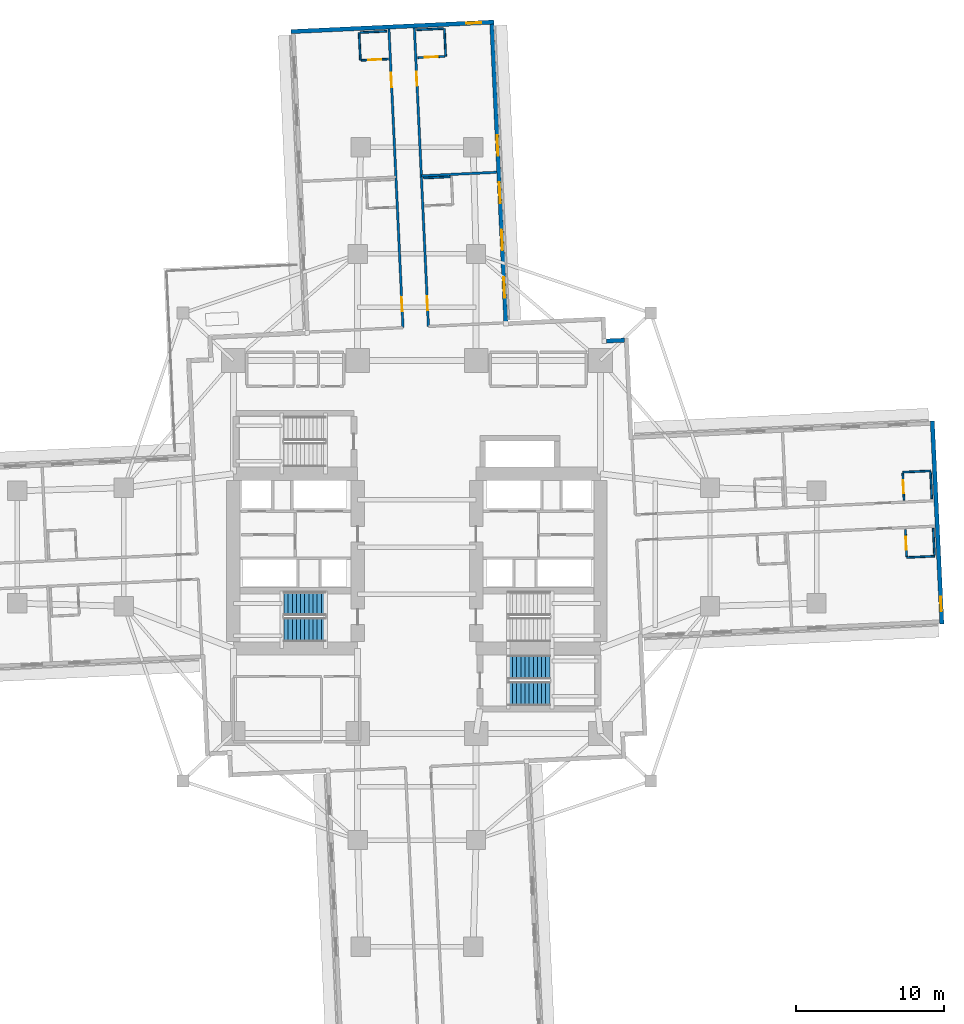
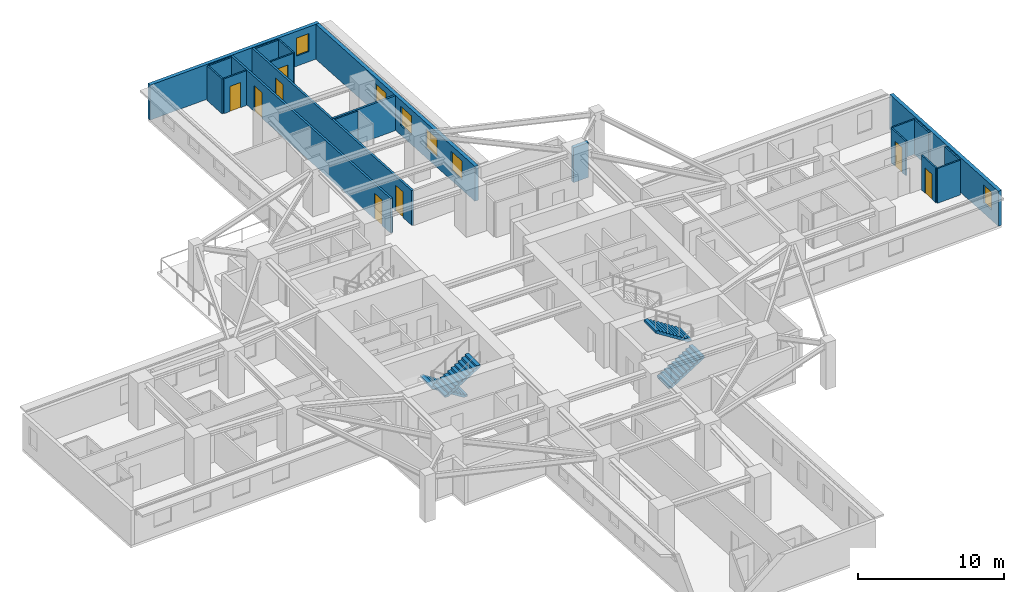
# One storey, part 8 of 14: 20 walls, 8 doors, 6 windows, 4 stair flights, 14 openings, 2 elements without a shape of their own.
"""IFC4 building model written with IfcOpenShell, lengths in metres."""

import ifcopenshell
import ifcopenshell.guid

model = None  # the IFC model being written
_history = None  # IfcOwnerHistory: only IFC2X3 demands one
_inside = {}  # id of a spatial element -> (the spatial element, [elements in it])
_under = {}  # id of a project, library or spatial element -> (it, [spatial elements below it])
_declared = {}  # id of a project -> (the project, [libraries it declares])
_typed = {}  # id of a type object -> (the type object, [elements of that type])
_made_of = {}  # id of a material, layer set ... -> (it, [elements and type objects made of it])


def new_model(schema):
    """Start an empty IFC model of exactly this schema.

    Asked for "IFC4X3", IfcOpenShell would pick the latest addendum, in which some entities
    have other attributes; the version numbers below select the first issue.
    IFC2X3 requires an IfcOwnerHistory on every rooted entity: one is made here for all.
    """
    global model, _history
    if schema == "IFC4X3":
        model = ifcopenshell.file(schema_version=(4, 3, 0, 0))
    else:
        model = ifcopenshell.file(schema=schema)
    _inside.clear()
    _under.clear()
    _declared.clear()
    _typed.clear()
    _made_of.clear()
    _history = None
    if model.schema == "IFC2X3":
        org = make("IfcOrganization", Name="unknown")
        user = make(
            "IfcPersonAndOrganization",
            ThePerson=make("IfcPerson", FamilyName="unknown"),
            TheOrganization=org,
        )
        app = make(
            "IfcApplication",
            ApplicationDeveloper=org,
            Version="unknown",
            ApplicationFullName="unknown",
            ApplicationIdentifier="unknown",
        )
        _history = make(
            "IfcOwnerHistory",
            OwningUser=user,
            OwningApplication=app,
            ChangeAction="ADDED",
            CreationDate=0,
        )
    return model


def make(cls, **values):
    """One entity of the class cls with the attributes given. An attribute that is None is left unset."""
    return model.create_entity(
        cls, **{name: value for name, value in values.items() if value is not None}
    )


def rooted(cls, **values):
    """An entity with a GlobalId (a new one), such as an element, a storey or a relation."""
    return make(cls, GlobalId=ifcopenshell.guid.new(), OwnerHistory=_history, **values)


def si_unit(unit_type, name, prefix=None):
    """IfcSIUnit, for example si_unit("LENGTHUNIT", "METRE", prefix="MILLI")."""
    return make("IfcSIUnit", UnitType=unit_type, Prefix=prefix, Name=name)


def assignment(units):
    """IfcUnitAssignment: the units of a project."""
    return None if units is None else make("IfcUnitAssignment", Units=units)


def point(xyz):
    """IfcCartesianPoint."""
    return None if xyz is None else make("IfcCartesianPoint", Coordinates=xyz)


def direction(xyz):
    """IfcDirection."""
    return None if xyz is None else make("IfcDirection", DirectionRatios=xyz)


def frame(location, z_axis=None, x_axis=None):
    """IfcAxis2Placement3D, a coordinate frame: its origin and axes. An axis left out is left unset."""
    return make(
        "IfcAxis2Placement3D",
        Location=point(location),
        Axis=direction(z_axis),
        RefDirection=direction(x_axis),
    )


def frame_2d(location, x_axis=None):
    """IfcAxis2Placement2D, a coordinate frame in the plane: its origin and x axis."""
    return make(
        "IfcAxis2Placement2D", Location=point(location), RefDirection=direction(x_axis)
    )


def origin():
    """The frame at (0, 0, 0) with its axes left unset."""
    return frame((0.0, 0.0, 0.0))


def place(relative_to, where):
    """IfcLocalPlacement: puts the frame where relative to a parent placement (None: the world)."""
    return make(
        "IfcLocalPlacement", PlacementRelTo=relative_to, RelativePlacement=where
    )


def context(
    kind, dimensions, precision=None, world=None, true_north=None, identifier=None
):
    """IfcGeometricRepresentationContext, for example the 3D "Model" context."""
    return make(
        "IfcGeometricRepresentationContext",
        ContextIdentifier=identifier,
        ContextType=kind,
        CoordinateSpaceDimension=dimensions,
        Precision=precision,
        WorldCoordinateSystem=world,
        TrueNorth=true_north,
    )


def subcontext(parent, identifier, kind, view, scale=None):
    """IfcGeometricRepresentationSubContext, for example "Body" below "Model"."""
    return make(
        "IfcGeometricRepresentationSubContext",
        ContextIdentifier=identifier,
        ContextType=kind,
        ParentContext=parent,
        TargetScale=scale,
        TargetView=view,
    )


def project(units=None, contexts=None):
    """IfcProject with its units and contexts."""
    return rooted(
        "IfcProject",
        Name="project",
        RepresentationContexts=contexts,
        UnitsInContext=assignment(units),
    )


def spatial(cls, under=None, at=None, **own):
    """A site, building, storey or space (cls), placed at a placement, below another one or the project."""
    s = rooted(cls, ObjectPlacement=at, **own)
    if under is not None:
        _under.setdefault(under.id(), (under, []))[1].append(s)
    return s


def polyline(points):
    """IfcPolyline through the points."""
    return make("IfcPolyline", Points=[point(p) for p in points])


def profile(cls, at=None, kind="AREA", **sizes):
    """A parametric profile (cls). Its sizes go by their IFC names, for example OverallWidth=200.0."""
    return make(cls, ProfileType=kind, Position=at, **sizes)


def rectangle(**sizes):
    """IfcRectangleProfileDef."""
    return profile("IfcRectangleProfileDef", **sizes)


def outline(outer, holes=None, kind="AREA"):
    """IfcArbitraryClosedProfileDef: a profile drawn as a closed curve; with holes, ...WithVoids."""
    if holes is None:
        return make("IfcArbitraryClosedProfileDef", ProfileType=kind, OuterCurve=outer)
    return make(
        "IfcArbitraryProfileDefWithVoids",
        ProfileType=kind,
        OuterCurve=outer,
        InnerCurves=holes,
    )


def extrude(swept, where, along, depth):
    """IfcExtrudedAreaSolid: the profile swept, set in the frame where, extruded along a direction by depth."""
    return make(
        "IfcExtrudedAreaSolid",
        SweptArea=swept,
        Position=where,
        ExtrudedDirection=direction(along),
        Depth=depth,
    )


def shape(context_of_items, identifier, shape_type, items):
    """IfcShapeRepresentation: the items that make up one representation, for example the "Body"."""
    return make(
        "IfcShapeRepresentation",
        ContextOfItems=context_of_items,
        RepresentationIdentifier=identifier,
        RepresentationType=shape_type,
        Items=items,
    )


def material(Name=None, Category=None):
    """IfcMaterial."""
    return make("IfcMaterial", Name=Name, Category=Category)


def layer(
    of_material, thickness, ventilated=None, Name=None, Category=None, Priority=None
):
    """IfcMaterialLayer: one layer of a wall or slab, of a material (None: an air gap)."""
    return make(
        "IfcMaterialLayer",
        Material=of_material,
        LayerThickness=thickness,
        IsVentilated=ventilated,
        Name=Name,
        Category=Category,
        Priority=Priority,
    )


def layer_set(layers, Name=None):
    """IfcMaterialLayerSet."""
    return make("IfcMaterialLayerSet", MaterialLayers=layers, LayerSetName=Name)


def made_of(thing, what):
    """Note that an element or type object is made of a material, layer set ...; save() writes the relation."""
    if what is not None:
        _made_of.setdefault(what.id(), (what, []))[1].append(thing)
    return thing


def type_object(cls, material=None, **own):
    """A type object (cls), such as IfcWallType, which elements share."""
    return made_of(rooted(cls, **own), material)


def element(
    cls,
    number,
    at=None,
    inside=None,
    cuts=None,
    type_object=None,
    material=None,
    context=None,
    identifier="Body",
    shape_type=None,
    held_by="IfcProductDefinitionShape",
    body=None,
    shapes=None,
    **own,
):
    """One element of the class cls, such as IfcWall. Its Tag is "e" and its number.

    at: its placement. inside: the storey or other place that contains it. cuts: it is an
    opening in that element (IfcRelVoidsElement). A single representation is given by context,
    identifier, shape_type and body (its items); several are given by shapes. held_by: the class
    of the entity that holds the representations. save() writes the other relations.
    """
    e = rooted(cls, Tag="e%d" % number, ObjectPlacement=at, **own)
    if body is not None:
        shapes = [shape(context, identifier, shape_type, body)]
    if shapes is not None:
        e.Representation = make(held_by, Representations=shapes)
    if inside is not None:
        _inside.setdefault(inside.id(), (inside, []))[1].append(e)
    if cuts is not None:
        rooted(
            "IfcRelVoidsElement", RelatingBuildingElement=cuts, RelatedOpeningElement=e
        )
    if type_object is not None:
        _typed.setdefault(type_object.id(), (type_object, []))[1].append(e)
    return made_of(e, material)


def fill(opening, filler):
    """IfcRelFillsElement: the door or window that sits in an opening."""
    return rooted(
        "IfcRelFillsElement",
        RelatingOpeningElement=opening,
        RelatedBuildingElement=filler,
    )


def aggregate(whole, parts):
    """IfcRelAggregates: a whole, such as a stair, and the parts it consists of."""
    return rooted("IfcRelAggregates", RelatingObject=whole, RelatedObjects=parts)


def save(model, path):
    """Write the relations noted so far, then the file.

    IfcRelAggregates (storeys below a building ...), IfcRelContainedInSpatialStructure (elements
    in a storey), IfcRelDefinesByType, IfcRelAssociatesMaterial and IfcRelDeclares: one each for
    every whole, place, type object, material and project.
    """
    for whole, parts in _under.values():
        aggregate(whole, parts)
    for where, things in _inside.values():
        rooted(
            "IfcRelContainedInSpatialStructure",
            RelatedElements=things,
            RelatingStructure=where,
        )
    for kind, things in _typed.values():
        rooted("IfcRelDefinesByType", RelatedObjects=things, RelatingType=kind)
    for what, things in _made_of.values():
        rooted("IfcRelAssociatesMaterial", RelatedObjects=things, RelatingMaterial=what)
    for by, libraries in _declared.values():
        rooted("IfcRelDeclares", RelatingContext=by, RelatedDefinitions=libraries)
    model.write(path)


model = new_model("IFC4")

# Units and contexts
model_context = context("Model", 3, precision=1e-05, world=origin(), true_north=direction((0.0, 1.0)))
body_context = subcontext(model_context, "Body", "Model", "MODEL_VIEW")
ifc_project = project(units=[si_unit("LENGTHUNIT", "METRE"), si_unit("AREAUNIT", "SQUARE_METRE"), si_unit("VOLUMEUNIT", "CUBIC_METRE"), si_unit("PLANEANGLEUNIT", "RADIAN"), si_unit("MASSUNIT", "GRAM", prefix="KILO")], contexts=[model_context])

# Site, building, storey
site_placement = place(None, origin())
site = spatial("IfcSite", under=ifc_project, at=site_placement, CompositionType="ELEMENT")
building_placement = place(site_placement, origin())
building = spatial("IfcBuilding", under=site, at=building_placement, Name="Qingluan Cross Belvedere", CompositionType="ELEMENT")
storey_placement = place(building_placement, frame((0.0, 0.0, 35.39990234375)))
storey = spatial("IfcBuildingStorey", under=building, at=storey_placement, Name="L09", CompositionType="ELEMENT", Elevation=35.39990234375)

# Wall, openings, doors
ifc_material_1 = material(Name="Gypsum plasterboard on steel stud acoustic partition", Category="steel")
ifc_layer_1 = layer(ifc_material_1, 0.159912109375, Name="CorridorPartition_160")
ifc_layer_set_1 = layer_set([ifc_layer_1], Name="Gypsum plasterboard on steel stud acoustic partition")
wall_type_1 = type_object("IfcWallType", Name="CorridorPartition_160", PredefinedType="PARTITIONING", material=ifc_layer_set_1)
wall_1_placement = place(storey_placement, frame((0.77880859375, 14.9033203125, 0.0), z_axis=(0.0, 0.0, 1.0), x_axis=(-0.047105921672, 0.998889899911, 0.0)))
wall_1 = element("IfcWall", 1, at=wall_1_placement, inside=storey, type_object=wall_type_1, Name="Partition L09:N:c0", PredefinedType="PARTITIONING", context=body_context, shape_type="SweptSolid", body=[
    extrude(rectangle(XDim=20.181884765625, YDim=0.159912109375, at=frame_2d((10.0908203125, 0.0))), origin(), (0.0, 0.0, 1.0), 2.900146484375),
])
opening_1_placement = place(wall_1_placement, frame((1.093994140625, 0.0, 0.0)))
opening_1 = element("IfcOpeningElement", 2, at=opening_1_placement, cuts=wall_1, Name="Opening GD-10", PredefinedType="OPENING", context=body_context, shape_type="SweptSolid", body=[
    extrude(rectangle(XDim=0.9599609375, YDim=2.14990234375, at=frame_2d((0.47998046875, 1.074951171875))), frame((0.0, 0.08984375, 0.0), z_axis=(0.0, -1.0, 0.0), x_axis=(1.0, 0.0, 0.0)), (0.0, 0.0, 1.0), 0.179931640625),
])
opening_2_placement = place(wall_1_placement, frame((16.26806640625, 0.0, 0.0)))
opening_2 = element("IfcOpeningElement", 3, at=opening_2_placement, cuts=wall_1, Name="Opening GD-10", PredefinedType="OPENING", context=body_context, shape_type="SweptSolid", body=[
    extrude(rectangle(XDim=0.9599609375, YDim=2.14990234375, at=frame_2d((0.47998046875, 1.074951171875))), frame((0.0, 0.08984375, 0.0), z_axis=(0.0, -1.0, 0.0), x_axis=(1.0, 0.0, 0.0)), (0.0, 0.0, 1.0), 0.179931640625),
])
ifc_material_2 = material(Name="Timber oak fire-rated acoustic guestroom door", Category="wood")
door_type_1 = type_object("IfcDoorType", Name="GuestEntryDoor_FD60", OperationType="NOTDEFINED", PredefinedType="DOOR", material=ifc_material_2)
door_1_placement = place(opening_1_placement, origin())
door_1 = element("IfcDoor", 4, at=door_1_placement, inside=storey, type_object=door_type_1, Name="Guest entry fire door 0909", OperationType="SINGLE_SWING_LEFT", OverallHeight=2.14990234375, OverallWidth=0.9599609375, PredefinedType="DOOR", context=body_context, shape_type="SweptSolid", body=[
    extrude(rectangle(XDim=0.9599609375, YDim=2.14990234375, at=frame_2d((0.47998046875, 1.074951171875))), frame((0.0, 0.02490234375, 0.0), z_axis=(0.0, -1.0, 0.0), x_axis=(1.0, 0.0, 0.0)), (0.0, 0.0, 1.0), 0.050048828125),
])
fill(opening_1, door_1)
door_2_placement = place(opening_2_placement, origin())
door_2 = element("IfcDoor", 5, at=door_2_placement, inside=storey, type_object=door_type_1, Name="Guest entry fire door 0910", OperationType="SINGLE_SWING_LEFT", OverallHeight=2.14990234375, OverallWidth=0.9599609375, PredefinedType="DOOR", context=body_context, shape_type="SweptSolid", body=[
    extrude(rectangle(XDim=0.9599609375, YDim=2.14990234375, at=frame_2d((0.47998046875, 1.074951171875))), frame((0.0, 0.02490234375, 0.0), z_axis=(0.0, -1.0, 0.0), x_axis=(1.0, 0.0, 0.0)), (0.0, 0.0, 1.0), 0.050048828125),
])
fill(opening_2, door_2)

# Wall
wall_2_placement = place(storey_placement, frame((0.299072265625, 25.076904296875, 0.0), z_axis=(0.0, 0.0, 1.0), x_axis=(0.998888761336, 0.047130059153, 0.0)))
element("IfcWall", 6, at=wall_2_placement, inside=storey, type_object=wall_type_1, Name="Partition L09:N:d0_0", PredefinedType="PARTITIONING", context=body_context, shape_type="SweptSolid", body=[
    extrude(rectangle(XDim=5.092041015625, YDim=0.159912109375, at=frame_2d((2.5458984375, 0.0))), origin(), (0.0, 0.0, 1.0), 2.900146484375),
])

# Wall, openings, doors
wall_3_placement = place(storey_placement, frame((-0.939208984375, 14.822265625, 0.0), z_axis=(0.0, 0.0, 1.0), x_axis=(-0.047105921672, 0.998889899911, 0.0)))
wall_3 = element("IfcWall", 7, at=wall_3_placement, inside=storey, type_object=wall_type_1, Name="Partition L09:N:c1", PredefinedType="PARTITIONING", context=body_context, shape_type="SweptSolid", body=[
    extrude(rectangle(XDim=20.181884765625, YDim=0.159912109375, at=frame_2d((10.0908203125, 0.0))), origin(), (0.0, 0.0, 1.0), 2.900146484375),
])
opening_3_placement = place(wall_3_placement, frame((1.093994140625, 0.0, 0.0)))
opening_3 = element("IfcOpeningElement", 8, at=opening_3_placement, cuts=wall_3, Name="Opening GD-10", PredefinedType="OPENING", context=body_context, shape_type="SweptSolid", body=[
    extrude(rectangle(XDim=0.9599609375, YDim=2.14990234375, at=frame_2d((0.47998046875, 1.074951171875))), frame((0.0, 0.08984375, 0.0), z_axis=(0.0, -1.0, 0.0), x_axis=(1.0, 0.0, 0.0)), (0.0, 0.0, 1.0), 0.179931640625),
])
opening_4_placement = place(wall_3_placement, frame((16.26806640625, 0.0, 0.0)))
opening_4 = element("IfcOpeningElement", 9, at=opening_4_placement, cuts=wall_3, Name="Opening GD-10", PredefinedType="OPENING", context=body_context, shape_type="SweptSolid", body=[
    extrude(rectangle(XDim=0.9599609375, YDim=2.14990234375, at=frame_2d((0.47998046875, 1.074951171875))), frame((0.0, 0.08984375, 0.0), z_axis=(0.0, -1.0, 0.0), x_axis=(1.0, 0.0, 0.0)), (0.0, 0.0, 1.0), 0.179931640625),
])
door_3_placement = place(opening_3_placement, origin())
door_3 = element("IfcDoor", 10, at=door_3_placement, inside=storey, type_object=door_type_1, Name="Guest entry fire door 0911", OperationType="SINGLE_SWING_LEFT", OverallHeight=2.14990234375, OverallWidth=0.9599609375, PredefinedType="DOOR", context=body_context, shape_type="SweptSolid", body=[
    extrude(rectangle(XDim=0.9599609375, YDim=2.14990234375, at=frame_2d((0.47998046875, 1.074951171875))), frame((0.0, 0.02490234375, 0.0), z_axis=(0.0, -1.0, 0.0), x_axis=(1.0, 0.0, 0.0)), (0.0, 0.0, 1.0), 0.050048828125),
])
fill(opening_3, door_3)
door_4_placement = place(opening_4_placement, origin())
door_4 = element("IfcDoor", 11, at=door_4_placement, inside=storey, type_object=door_type_1, Name="Guest entry fire door 0912", OperationType="SINGLE_SWING_LEFT", OverallHeight=2.14990234375, OverallWidth=0.9599609375, PredefinedType="DOOR", context=body_context, shape_type="SweptSolid", body=[
    extrude(rectangle(XDim=0.9599609375, YDim=2.14990234375, at=frame_2d((0.47998046875, 1.074951171875))), frame((0.0, 0.02490234375, 0.0), z_axis=(0.0, -1.0, 0.0), x_axis=(1.0, 0.0, 0.0)), (0.0, 0.0, 1.0), 0.050048828125),
])
fill(opening_4, door_4)

# Wall, opening, door
ifc_material_3 = material(Name="Moisture-resistant gypsum board lining")
ifc_layer_2 = layer(ifc_material_3, 0.1201171875, Name="EnsuiteWetPartition_120")
ifc_layer_set_2 = layer_set([ifc_layer_2], Name="Moisture-resistant gypsum board lining")
wall_type_2 = type_object("IfcWallType", Name="EnsuiteWetPartition_120", PredefinedType="PARTITIONING", material=ifc_layer_set_2)
wall_4_placement = place(storey_placement, frame((32.906982421875, 3.173583984375, 0.0), z_axis=(0.0, 0.0, 1.0), x_axis=(-0.047080807099, 0.998891083954, 0.0)))
wall_4 = element("IfcWall", 12, at=wall_4_placement, inside=storey, type_object=wall_type_2, Name="Partition L09:E:bs0_1", PredefinedType="PARTITIONING", context=body_context, shape_type="SweptSolid", body=[
    extrude(rectangle(XDim=1.820068359375, YDim=0.1201171875, at=frame_2d((0.91015625, 0.0))), origin(), (0.0, 0.0, 1.0), 2.900146484375),
])
opening_5_placement = place(wall_4_placement, frame((0.469970703125, 0.0, 0.0)))
opening_5 = element("IfcOpeningElement", 13, at=opening_5_placement, cuts=wall_4, Name="Opening BD-09", PredefinedType="OPENING", context=body_context, shape_type="SweptSolid", body=[
    extrude(rectangle(XDim=0.8798828125, YDim=2.10009765625, at=frame_2d((0.43994140625, 1.050048828125))), frame((0.0, 0.070068359375, 0.0), z_axis=(0.0, -1.0, 0.0), x_axis=(1.0, 0.0, 0.0)), (0.0, 0.0, 1.0), 0.14013671875),
])
ifc_material_4 = material(Name="Moisture-sealed timber en-suite door", Category="wood")
door_type_2 = type_object("IfcDoorType", Name="BathroomDoor_880", OperationType="NOTDEFINED", PredefinedType="DOOR", material=ifc_material_4)
door_5_placement = place(opening_5_placement, origin())
door_5 = element("IfcDoor", 14, at=door_5_placement, inside=storey, type_object=door_type_2, Name="Bathroom door 0902", OperationType="SINGLE_SWING_RIGHT", OverallHeight=2.10009765625, OverallWidth=0.8798828125, PredefinedType="DOOR", context=body_context, shape_type="SweptSolid", body=[
    extrude(rectangle(XDim=0.8798828125, YDim=2.10009765625, at=frame_2d((0.43994140625, 1.050048828125))), frame((0.0, 0.02490234375, 0.0), z_axis=(0.0, -1.0, 0.0), x_axis=(1.0, 0.0, 0.0)), (0.0, 0.0, 1.0), 0.050048828125),
])
fill(opening_5, door_5)

# Walls
wall_5_placement = place(storey_placement, frame((34.784912109375, 3.26220703125, 0.0), z_axis=(0.0, 0.0, 1.0), x_axis=(-0.047087116047, 0.998890786574, 0.0)))
element("IfcWall", 15, at=wall_5_placement, inside=storey, type_object=wall_type_2, Name="Partition L09:E:bw0_1", PredefinedType="PARTITIONING", context=body_context, shape_type="SweptSolid", body=[
    extrude(rectangle(XDim=1.81982421875, YDim=0.1201171875, at=frame_2d((0.909912109375, 0.0))), origin(), (0.0, 0.0, 1.0), 2.900146484375),
])
wall_6_placement = place(storey_placement, frame((32.818115234375, 5.056640625, 0.0), z_axis=(0.0, 0.0, 1.0), x_axis=(0.998894425757, 0.04700985207, 0.0)))
element("IfcWall", 16, at=wall_6_placement, inside=storey, type_object=wall_type_2, Name="Partition L09:E:bn0_1", PredefinedType="PARTITIONING", context=body_context, shape_type="SweptSolid", body=[
    extrude(rectangle(XDim=1.880126953125, YDim=0.1201171875, at=frame_2d((0.93994140625, 0.0))), origin(), (0.0, 0.0, 1.0), 2.900146484375),
])

# Wall, opening, door
wall_7_placement = place(storey_placement, frame((33.0869140625, -0.64208984375, 0.0), z_axis=(0.0, 0.0, 1.0), x_axis=(-0.047087116047, 0.998890786574, 0.0)))
wall_7 = element("IfcWall", 17, at=wall_7_placement, inside=storey, type_object=wall_type_2, Name="Partition L09:E:bs1_1", PredefinedType="PARTITIONING", context=body_context, shape_type="SweptSolid", body=[
    extrude(rectangle(XDim=1.81982421875, YDim=0.1201171875, at=frame_2d((0.909912109375, 0.0))), origin(), (0.0, 0.0, 1.0), 2.900146484375),
])
opening_6_placement = place(wall_7_placement, frame((0.469970703125, 0.0, 0.0)))
opening_6 = element("IfcOpeningElement", 18, at=opening_6_placement, cuts=wall_7, Name="Opening BD-09", PredefinedType="OPENING", context=body_context, shape_type="SweptSolid", body=[
    extrude(rectangle(XDim=0.8798828125, YDim=2.10009765625, at=frame_2d((0.43994140625, 1.050048828125))), frame((0.0, 0.070068359375, 0.0), z_axis=(0.0, -1.0, 0.0), x_axis=(1.0, 0.0, 0.0)), (0.0, 0.0, 1.0), 0.14013671875),
])
door_6_placement = place(opening_6_placement, origin())
door_6 = element("IfcDoor", 19, at=door_6_placement, inside=storey, type_object=door_type_2, Name="Bathroom door 0904", OperationType="SINGLE_SWING_RIGHT", OverallHeight=2.10009765625, OverallWidth=0.8798828125, PredefinedType="DOOR", context=body_context, shape_type="SweptSolid", body=[
    extrude(rectangle(XDim=0.8798828125, YDim=2.10009765625, at=frame_2d((0.43994140625, 1.050048828125))), frame((0.0, 0.02490234375, 0.0), z_axis=(0.0, -1.0, 0.0), x_axis=(1.0, 0.0, 0.0)), (0.0, 0.0, 1.0), 0.050048828125),
])
fill(opening_6, door_6)

# Walls
wall_8_placement = place(storey_placement, frame((34.96484375, -0.553466796875, 0.0), z_axis=(0.0, 0.0, 1.0), x_axis=(-0.047087116047, 0.998890786574, 0.0)))
element("IfcWall", 20, at=wall_8_placement, inside=storey, type_object=wall_type_2, Name="Partition L09:E:bw1_1", PredefinedType="PARTITIONING", context=body_context, shape_type="SweptSolid", body=[
    extrude(rectangle(XDim=1.81982421875, YDim=0.1201171875, at=frame_2d((0.909912109375, 0.0))), origin(), (0.0, 0.0, 1.0), 2.900146484375),
])
wall_9_placement = place(storey_placement, frame((33.090087890625, -0.70703125, 0.0), z_axis=(0.0, 0.0, 1.0), x_axis=(0.998888319371, 0.047139425368, 0.0)))
element("IfcWall", 21, at=wall_9_placement, inside=storey, type_object=wall_type_2, Name="Partition L09:E:bc1_1", PredefinedType="PARTITIONING", context=body_context, shape_type="SweptSolid", body=[
    extrude(rectangle(XDim=1.880126953125, YDim=0.1201171875, at=frame_2d((0.93994140625, 0.0))), origin(), (0.0, 0.0, 1.0), 2.900146484375),
])
wall_10_placement = place(storey_placement, frame((0.4462890625, 24.923583984375, 0.0), z_axis=(0.0, 0.0, 1.0), x_axis=(0.998884766924, 0.047214641863, 0.0)))
element("IfcWall", 22, at=wall_10_placement, inside=storey, type_object=wall_type_2, Name="Partition L09:N:bw0_0", PredefinedType="PARTITIONING", context=body_context, shape_type="SweptSolid", body=[
    extrude(rectangle(XDim=1.820068359375, YDim=0.1201171875, at=frame_2d((0.91015625, 0.0))), origin(), (0.0, 0.0, 1.0), 2.900146484375),
])

# Wall, opening, door
wall_11_placement = place(storey_placement, frame((0.062744140625, 33.059814453125, 0.0), z_axis=(0.0, 0.0, 1.0), x_axis=(0.998890786574, 0.047087116047, 0.0)))
wall_11 = element("IfcWall", 23, at=wall_11_placement, inside=storey, type_object=wall_type_2, Name="Partition L09:N:bs0_1", PredefinedType="PARTITIONING", context=body_context, shape_type="SweptSolid", body=[
    extrude(rectangle(XDim=1.81982421875, YDim=0.1201171875, at=frame_2d((0.909912109375, 0.0))), origin(), (0.0, 0.0, 1.0), 2.900146484375),
])
opening_7_placement = place(wall_11_placement, frame((0.469970703125, 0.0, 0.0)))
opening_7 = element("IfcOpeningElement", 24, at=opening_7_placement, cuts=wall_11, Name="Opening BD-09", PredefinedType="OPENING", context=body_context, shape_type="SweptSolid", body=[
    extrude(rectangle(XDim=0.8798828125, YDim=2.10009765625, at=frame_2d((0.43994140625, 1.050048828125))), frame((0.0, 0.070068359375, 0.0), z_axis=(0.0, -1.0, 0.0), x_axis=(1.0, 0.0, 0.0)), (0.0, 0.0, 1.0), 0.14013671875),
])
door_7_placement = place(opening_7_placement, origin())
door_7 = element("IfcDoor", 25, at=door_7_placement, inside=storey, type_object=door_type_2, Name="Bathroom door 0910", OperationType="SINGLE_SWING_RIGHT", OverallHeight=2.10009765625, OverallWidth=0.8798828125, PredefinedType="DOOR", context=body_context, shape_type="SweptSolid", body=[
    extrude(rectangle(XDim=0.8798828125, YDim=2.10009765625, at=frame_2d((0.43994140625, 1.050048828125))), frame((0.0, 0.02490234375, 0.0), z_axis=(0.0, -1.0, 0.0), x_axis=(1.0, 0.0, 0.0)), (0.0, 0.0, 1.0), 0.050048828125),
])
fill(opening_7, door_7)

# Walls
wall_12_placement = place(storey_placement, frame((-0.02587890625, 34.9375, 0.0), z_axis=(0.0, 0.0, 1.0), x_axis=(0.998891083954, 0.047080807099, 0.0)))
element("IfcWall", 26, at=wall_12_placement, inside=storey, type_object=wall_type_2, Name="Partition L09:N:bw0_1", PredefinedType="PARTITIONING", context=body_context, shape_type="SweptSolid", body=[
    extrude(rectangle(XDim=1.820068359375, YDim=0.1201171875, at=frame_2d((0.91015625, 0.0))), origin(), (0.0, 0.0, 1.0), 2.900146484375),
])
wall_13_placement = place(storey_placement, frame((1.94580078125, 33.1484375, 0.0), z_axis=(0.0, 0.0, 1.0), x_axis=(-0.047139425368, 0.998888319371, 0.0)))
element("IfcWall", 27, at=wall_13_placement, inside=storey, type_object=wall_type_2, Name="Partition L09:N:bn0_1", PredefinedType="PARTITIONING", context=body_context, shape_type="SweptSolid", body=[
    extrude(rectangle(XDim=1.880126953125, YDim=0.1201171875, at=frame_2d((0.93994140625, 0.0))), origin(), (0.0, 0.0, 1.0), 2.900146484375),
])

# Wall, opening, door
wall_14_placement = place(storey_placement, frame((-3.7529296875, 32.879638671875, 0.0), z_axis=(0.0, 0.0, 1.0), x_axis=(0.998890786574, 0.047087116047, 0.0)))
wall_14 = element("IfcWall", 28, at=wall_14_placement, inside=storey, type_object=wall_type_2, Name="Partition L09:N:bs1_1", PredefinedType="PARTITIONING", context=body_context, shape_type="SweptSolid", body=[
    extrude(rectangle(XDim=1.81982421875, YDim=0.1201171875, at=frame_2d((0.909912109375, 0.0))), origin(), (0.0, 0.0, 1.0), 2.900146484375),
])
opening_8_placement = place(wall_14_placement, frame((0.469970703125, 0.0, 0.0)))
opening_8 = element("IfcOpeningElement", 29, at=opening_8_placement, cuts=wall_14, Name="Opening BD-09", PredefinedType="OPENING", context=body_context, shape_type="SweptSolid", body=[
    extrude(rectangle(XDim=0.8798828125, YDim=2.10009765625, at=frame_2d((0.43994140625, 1.050048828125))), frame((0.0, 0.070068359375, 0.0), z_axis=(0.0, -1.0, 0.0), x_axis=(1.0, 0.0, 0.0)), (0.0, 0.0, 1.0), 0.14013671875),
])
door_8_placement = place(opening_8_placement, origin())
door_8 = element("IfcDoor", 30, at=door_8_placement, inside=storey, type_object=door_type_2, Name="Bathroom door 0912", OperationType="SINGLE_SWING_RIGHT", OverallHeight=2.10009765625, OverallWidth=0.8798828125, PredefinedType="DOOR", context=body_context, shape_type="SweptSolid", body=[
    extrude(rectangle(XDim=0.8798828125, YDim=2.10009765625, at=frame_2d((0.43994140625, 1.050048828125))), frame((0.0, 0.02490234375, 0.0), z_axis=(0.0, -1.0, 0.0), x_axis=(1.0, 0.0, 0.0)), (0.0, 0.0, 1.0), 0.050048828125),
])
fill(opening_8, door_8)

# Walls
wall_15_placement = place(storey_placement, frame((-3.841552734375, 34.757568359375, 0.0), z_axis=(0.0, 0.0, 1.0), x_axis=(0.998884467853, 0.047220968666, 0.0)))
element("IfcWall", 31, at=wall_15_placement, inside=storey, type_object=wall_type_2, Name="Partition L09:N:bw1_1", PredefinedType="PARTITIONING", context=body_context, shape_type="SweptSolid", body=[
    extrude(rectangle(XDim=1.81982421875, YDim=0.1201171875, at=frame_2d((0.909912109375, 0.0))), origin(), (0.0, 0.0, 1.0), 2.900146484375),
])
wall_16_placement = place(storey_placement, frame((-3.81787109375, 32.876708984375, 0.0), z_axis=(0.0, 0.0, 1.0), x_axis=(-0.047139425368, 0.998888319371, 0.0)))
element("IfcWall", 32, at=wall_16_placement, inside=storey, type_object=wall_type_2, Name="Partition L09:N:bc1_1", PredefinedType="PARTITIONING", context=body_context, shape_type="SweptSolid", body=[
    extrude(rectangle(XDim=1.880126953125, YDim=0.1201171875, at=frame_2d((0.93994140625, 0.0))), origin(), (0.0, 0.0, 1.0), 2.900146484375),
])

# Wall, opening, window
ifc_material_5 = material(Name="Precast concrete C45", Category="concrete")
ifc_layer_3 = layer(ifc_material_5, 0.280029296875, Name="PrecastFacadeWall_280")
ifc_layer_set_3 = layer_set([ifc_layer_3], Name="Precast concrete C45")
wall_type_3 = type_object("IfcWallType", Name="PrecastFacadeWall_280", PredefinedType="STANDARD", material=ifc_layer_set_3)
wall_17_placement = place(storey_placement, frame((35.464111328125, -5.1953125, 0.0), z_axis=(0.0, 0.0, 1.0), x_axis=(-0.047101845086, 0.998890092147, 0.0)))
wall_17 = element("IfcWall", 33, at=wall_17_placement, inside=storey, type_object=wall_type_3, Name="Arm tip precast facade wall L09-E", PredefinedType="STANDARD", context=body_context, shape_type="SweptSolid", body=[
    extrude(rectangle(XDim=13.719970703125, YDim=0.280029296875, at=frame_2d((6.85986328125, 0.0))), origin(), (0.0, 0.0, 1.0), 2.91015625),
])
opening_9_placement = place(wall_17_placement, frame((0.85009765625, 0.0, 0.85009765625)))
opening_9 = element("IfcOpeningElement", 34, at=opening_9_placement, cuts=wall_17, Name="Opening W-03", PredefinedType="OPENING", context=body_context, shape_type="SweptSolid", body=[
    extrude(rectangle(XDim=1.0, YDim=1.5, at=frame_2d((0.5, 0.75))), frame((0.0, 0.14990234375, 0.0), z_axis=(0.0, -1.0, 0.0), x_axis=(1.0, 0.0, 0.0)), (0.0, 0.0, 1.0), 0.300048828125),
])
ifc_material_6 = material(Name="Thermally broken triple Low-E glass in aluminium frame", Category="aluminium")
window_type_1 = type_object("IfcWindowType", Name="TriApexWin_1000x1500", PartitioningType="SINGLE_PANEL", PredefinedType="WINDOW", material=ifc_material_6)
window_1_placement = place(opening_9_placement, origin())
window_1 = element("IfcWindow", 35, at=window_1_placement, inside=storey, type_object=window_type_1, Name="Arm tip triangular window L09-E", OverallHeight=1.5, OverallWidth=1.0, PartitioningType="SINGLE_PANEL", PredefinedType="WINDOW", context=body_context, shape_type="SweptSolid", body=[
    extrude(rectangle(XDim=1.0, YDim=1.5, at=frame_2d((0.5, 0.75))), frame((0.0, 0.030029296875, 0.0), z_axis=(0.0, -1.0, 0.0), x_axis=(1.0, 0.0, 0.0)), (0.0, 0.0, 1.0), 0.06005859375),
])
fill(opening_9, window_1)

# Wall, openings, windows
wall_18_placement = place(storey_placement, frame((6.0087890625, 15.239990234375, 0.0), z_axis=(0.0, 0.0, 1.0), x_axis=(-0.047103473814, 0.998890015344, 0.0)))
wall_18 = element("IfcWall", 36, at=wall_18_placement, inside=storey, type_object=wall_type_3, Name="Facade wall L09-NA", PredefinedType="STANDARD", context=body_context, shape_type="SweptSolid", body=[
    extrude(rectangle(XDim=20.099853515625, YDim=0.280029296875, at=frame_2d((10.0498046875, 0.0))), origin(), (0.0, 0.0, 1.0), 2.91015625),
])
opening_10_placement = place(wall_18_placement, frame((1.60009765625, 0.0, 0.800048828125)))
opening_10 = element("IfcOpeningElement", 37, at=opening_10_placement, cuts=wall_18, Name="Opening W-01", PredefinedType="OPENING", context=body_context, shape_type="SweptSolid", body=[
    extrude(rectangle(XDim=1.39990234375, YDim=1.60009765625, at=frame_2d((0.699951171875, 0.800048828125))), frame((0.0, 0.14990234375, 0.0), z_axis=(0.0, -1.0, 0.0), x_axis=(1.0, 0.0, 0.0)), (0.0, 0.0, 1.0), 0.300048828125),
])
opening_11_placement = place(wall_18_placement, frame((4.800048828125, 0.0, 0.800048828125)))
opening_11 = element("IfcOpeningElement", 38, at=opening_11_placement, cuts=wall_18, Name="Opening W-01", PredefinedType="OPENING", context=body_context, shape_type="SweptSolid", body=[
    extrude(rectangle(XDim=1.39990234375, YDim=1.60009765625, at=frame_2d((0.699951171875, 0.800048828125))), frame((0.0, 0.14990234375, 0.0), z_axis=(0.0, -1.0, 0.0), x_axis=(1.0, 0.0, 0.0)), (0.0, 0.0, 1.0), 0.300048828125),
])
opening_12_placement = place(wall_18_placement, frame((8.0, 0.0, 0.800048828125)))
opening_12 = element("IfcOpeningElement", 39, at=opening_12_placement, cuts=wall_18, Name="Opening W-01", PredefinedType="OPENING", context=body_context, shape_type="SweptSolid", body=[
    extrude(rectangle(XDim=1.39990234375, YDim=1.60009765625, at=frame_2d((0.699951171875, 0.800048828125))), frame((0.0, 0.14990234375, 0.0), z_axis=(0.0, -1.0, 0.0), x_axis=(1.0, 0.0, 0.0)), (0.0, 0.0, 1.0), 0.300048828125),
])
opening_13_placement = place(wall_18_placement, frame((11.199951171875, 0.0, 0.800048828125)))
opening_13 = element("IfcOpeningElement", 40, at=opening_13_placement, cuts=wall_18, Name="Opening W-01", PredefinedType="OPENING", context=body_context, shape_type="SweptSolid", body=[
    extrude(rectangle(XDim=1.39990234375, YDim=1.60009765625, at=frame_2d((0.699951171875, 0.800048828125))), frame((0.0, 0.14990234375, 0.0), z_axis=(0.0, -1.0, 0.0), x_axis=(1.0, 0.0, 0.0)), (0.0, 0.0, 1.0), 0.300048828125),
])
ifc_material_7 = material(Name="Thermally broken triple Low-E glass in aluminium frame", Category="aluminium")
window_type_2 = type_object("IfcWindowType", Name="TriRibbonWin_1400x1600", PartitioningType="SINGLE_PANEL", PredefinedType="WINDOW", material=ifc_material_7)
window_2_placement = place(opening_10_placement, origin())
window_2 = element("IfcWindow", 41, at=window_2_placement, inside=storey, type_object=window_type_2, Name="Ribbon window L09-NA-1", OverallHeight=1.60009765625, OverallWidth=1.39990234375, PartitioningType="SINGLE_PANEL", PredefinedType="WINDOW", context=body_context, shape_type="SweptSolid", body=[
    extrude(rectangle(XDim=1.39990234375, YDim=1.60009765625, at=frame_2d((0.699951171875, 0.800048828125))), frame((0.0, 0.030029296875, 0.0), z_axis=(0.0, -1.0, 0.0), x_axis=(1.0, 0.0, 0.0)), (0.0, 0.0, 1.0), 0.06005859375),
])
fill(opening_10, window_2)
window_3_placement = place(opening_11_placement, origin())
window_3 = element("IfcWindow", 42, at=window_3_placement, inside=storey, type_object=window_type_2, Name="Ribbon window L09-NA-2", OverallHeight=1.60009765625, OverallWidth=1.39990234375, PartitioningType="SINGLE_PANEL", PredefinedType="WINDOW", context=body_context, shape_type="SweptSolid", body=[
    extrude(rectangle(XDim=1.39990234375, YDim=1.60009765625, at=frame_2d((0.699951171875, 0.800048828125))), frame((0.0, 0.030029296875, 0.0), z_axis=(0.0, -1.0, 0.0), x_axis=(1.0, 0.0, 0.0)), (0.0, 0.0, 1.0), 0.06005859375),
])
fill(opening_11, window_3)
window_4_placement = place(opening_12_placement, origin())
window_4 = element("IfcWindow", 43, at=window_4_placement, inside=storey, type_object=window_type_2, Name="Ribbon window L09-NA-3", OverallHeight=1.60009765625, OverallWidth=1.39990234375, PartitioningType="SINGLE_PANEL", PredefinedType="WINDOW", context=body_context, shape_type="SweptSolid", body=[
    extrude(rectangle(XDim=1.39990234375, YDim=1.60009765625, at=frame_2d((0.699951171875, 0.800048828125))), frame((0.0, 0.030029296875, 0.0), z_axis=(0.0, -1.0, 0.0), x_axis=(1.0, 0.0, 0.0)), (0.0, 0.0, 1.0), 0.06005859375),
])
fill(opening_12, window_4)
window_5_placement = place(opening_13_placement, origin())
window_5 = element("IfcWindow", 44, at=window_5_placement, inside=storey, type_object=window_type_2, Name="Ribbon window L09-NA-4", OverallHeight=1.60009765625, OverallWidth=1.39990234375, PartitioningType="SINGLE_PANEL", PredefinedType="WINDOW", context=body_context, shape_type="SweptSolid", body=[
    extrude(rectangle(XDim=1.39990234375, YDim=1.60009765625, at=frame_2d((0.699951171875, 0.800048828125))), frame((0.0, 0.030029296875, 0.0), z_axis=(0.0, -1.0, 0.0), x_axis=(1.0, 0.0, 0.0)), (0.0, 0.0, 1.0), 0.06005859375),
])
fill(opening_13, window_5)

# Wall, opening, window
wall_19_placement = place(storey_placement, frame((5.1953125, 35.464111328125, 0.0), z_axis=(0.0, 0.0, 1.0), x_axis=(-0.998890092147, -0.047101845086, 0.0)))
wall_19 = element("IfcWall", 45, at=wall_19_placement, inside=storey, type_object=wall_type_3, Name="Arm tip precast facade wall L09-N", PredefinedType="STANDARD", context=body_context, shape_type="SweptSolid", body=[
    extrude(rectangle(XDim=13.719970703125, YDim=0.280029296875, at=frame_2d((6.85986328125, 0.0))), origin(), (0.0, 0.0, 1.0), 2.91015625),
])
opening_14_placement = place(wall_19_placement, frame((0.85009765625, 0.0, 0.85009765625)))
opening_14 = element("IfcOpeningElement", 46, at=opening_14_placement, cuts=wall_19, Name="Opening W-03", PredefinedType="OPENING", context=body_context, shape_type="SweptSolid", body=[
    extrude(rectangle(XDim=1.0, YDim=1.5, at=frame_2d((0.5, 0.75))), frame((0.0, 0.14990234375, 0.0), z_axis=(0.0, -1.0, 0.0), x_axis=(1.0, 0.0, 0.0)), (0.0, 0.0, 1.0), 0.300048828125),
])
window_6_placement = place(opening_14_placement, origin())
window_6 = element("IfcWindow", 47, at=window_6_placement, inside=storey, type_object=window_type_1, Name="Arm tip triangular window L09-N", OverallHeight=1.5, OverallWidth=1.0, PartitioningType="SINGLE_PANEL", PredefinedType="WINDOW", context=body_context, shape_type="SweptSolid", body=[
    extrude(rectangle(XDim=1.0, YDim=1.5, at=frame_2d((0.5, 0.75))), frame((0.0, 0.030029296875, 0.0), z_axis=(0.0, -1.0, 0.0), x_axis=(1.0, 0.0, 0.0)), (0.0, 0.0, 1.0), 0.06005859375),
])
fill(opening_14, window_6)

# Wall
wall_20_placement = place(storey_placement, frame((14.01708984375, 13.975830078125, 0.0), z_axis=(0.0, 0.0, 1.0), x_axis=(-0.998883930236, -0.047232339719, 0.0)))
element("IfcWall", 48, at=wall_20_placement, inside=storey, type_object=wall_type_3, Name="Corner wall L09-NE2", PredefinedType="STANDARD", context=body_context, shape_type="SweptSolid", body=[
    extrude(rectangle(XDim=1.219970703125, YDim=0.280029296875, at=frame_2d((0.60986328125, 0.0))), origin(), (0.0, 0.0, 1.0), 2.91015625),
])

# Stair, stair flights
ifc_material_8 = material(Name="Concrete C40", Category="concrete")
stair_type = type_object("IfcStairType", Name="CoreDoglegStair_1620", PredefinedType="HALF_TURN_STAIR", material=ifc_material_8)
stair_1_placement = place(storey_placement, origin())
stair_1 = element("IfcStair", 49, at=stair_1_placement, inside=storey, type_object=stair_type, Name="L09 ST1", PredefinedType="HALF_TURN_STAIR")
ifc_material_9 = material(Name="Concrete C40", Category="concrete")
ifc_layer_4 = layer(ifc_material_9, 0.179931640625, Name="StairFlight_RC180")
ifc_layer_set_4 = layer_set([ifc_layer_4], Name="Concrete C40")
stair_flight_type = type_object("IfcStairFlightType", Name="StairFlight_RC180", PredefinedType="STRAIGHT", material=ifc_layer_set_4)
stair_flight_1_placement = place(storey_placement, frame((-6.179931640625, -3.81005859375, 0.0), z_axis=(0.0, 0.0, 1.0), x_axis=(-1.0, 0.0, 0.0)))
stair_flight_1 = element("IfcStairFlight", 50, at=stair_flight_1_placement, type_object=stair_flight_type, Name="ST1 flight 1", NumberOfRisers=11, NumberOfTreads=10, PredefinedType="STRAIGHT", RiserHeight=0.177272727, TreadLength=0.28, context=body_context, shape_type="SweptSolid", body=[
    extrude(outline(polyline([(0.0, 0.0), (0.0, 0.17724609375), (0.280029296875, 0.17724609375), (0.280029296875, 0.3544921875), (0.56005859375, 0.3544921875), (0.56005859375, 0.53173828125), (0.840087890625, 0.53173828125), (0.840087890625, 0.708984375), (1.1201171875, 0.708984375), (1.1201171875, 0.886474609375), (1.39990234375, 0.886474609375), (1.39990234375, 1.063720703125), (1.679931640625, 1.063720703125), (1.679931640625, 1.240966796875), (1.9599609375, 1.240966796875), (1.9599609375, 1.418212890625), (2.239990234375, 1.418212890625), (2.239990234375, 1.595458984375), (2.52001953125, 1.595458984375), (2.52001953125, 1.772705078125), (2.800048828125, 1.772705078125), (2.800048828125, 1.949951171875), (2.800048828125, 1.59521484375), (0.2802734375, 0.0), (0.0, 0.0)])), frame((0.0, 0.81005859375, 0.0), z_axis=(0.0, -1.0, 0.0), x_axis=(1.0, 0.0, 0.0)), (0.0, 0.0, 1.0), 1.6201171875),
])
stair_flight_2_placement = place(storey_placement, frame((-8.97998046875, -5.590087890625, 1.9501953125), z_axis=(0.0, 0.0, 1.0), x_axis=(1.0, 0.0, 0.0)))
stair_flight_2 = element("IfcStairFlight", 51, at=stair_flight_2_placement, type_object=stair_flight_type, Name="ST1 flight 2", NumberOfRisers=11, NumberOfTreads=10, PredefinedType="STRAIGHT", RiserHeight=0.177272727, TreadLength=0.28, context=body_context, shape_type="SweptSolid", body=[
    extrude(outline(polyline([(0.0, 0.0), (0.0, 0.17724609375), (0.280029296875, 0.17724609375), (0.280029296875, 0.3544921875), (0.56005859375, 0.3544921875), (0.56005859375, 0.53173828125), (0.840087890625, 0.53173828125), (0.840087890625, 0.708984375), (1.1201171875, 0.708984375), (1.1201171875, 0.886474609375), (1.39990234375, 0.886474609375), (1.39990234375, 1.063720703125), (1.679931640625, 1.063720703125), (1.679931640625, 1.240966796875), (1.9599609375, 1.240966796875), (1.9599609375, 1.418212890625), (2.239990234375, 1.418212890625), (2.239990234375, 1.595458984375), (2.52001953125, 1.595458984375), (2.52001953125, 1.772705078125), (2.800048828125, 1.772705078125), (2.800048828125, 1.949951171875), (2.800048828125, 1.59521484375), (0.2802734375, 0.0), (0.0, 0.0)])), frame((0.0, 0.81005859375, 0.0), z_axis=(0.0, -1.0, 0.0), x_axis=(1.0, 0.0, 0.0)), (0.0, 0.0, 1.0), 1.6201171875),
])
aggregate(stair_1, [stair_flight_1, stair_flight_2])

stair_2_placement = place(storey_placement, origin())
stair_2 = element("IfcStair", 52, at=stair_2_placement, inside=storey, type_object=stair_type, Name="L09 ST4", PredefinedType="HALF_TURN_STAIR")
stair_flight_3_placement = place(storey_placement, frame((6.179931640625, -9.909912109375, 0.0), z_axis=(0.0, 0.0, 1.0), x_axis=(1.0, 0.0, 0.0)))
stair_flight_3 = element("IfcStairFlight", 53, at=stair_flight_3_placement, type_object=stair_flight_type, Name="ST4 flight 1", NumberOfRisers=11, NumberOfTreads=10, PredefinedType="STRAIGHT", RiserHeight=0.177272727, TreadLength=0.28, context=body_context, shape_type="SweptSolid", body=[
    extrude(outline(polyline([(0.0, 0.0), (0.0, 0.17724609375), (0.280029296875, 0.17724609375), (0.280029296875, 0.3544921875), (0.56005859375, 0.3544921875), (0.56005859375, 0.53173828125), (0.840087890625, 0.53173828125), (0.840087890625, 0.708984375), (1.1201171875, 0.708984375), (1.1201171875, 0.886474609375), (1.39990234375, 0.886474609375), (1.39990234375, 1.063720703125), (1.679931640625, 1.063720703125), (1.679931640625, 1.240966796875), (1.9599609375, 1.240966796875), (1.9599609375, 1.418212890625), (2.239990234375, 1.418212890625), (2.239990234375, 1.595458984375), (2.52001953125, 1.595458984375), (2.52001953125, 1.772705078125), (2.800048828125, 1.772705078125), (2.800048828125, 1.949951171875), (2.800048828125, 1.59521484375), (0.2802734375, 0.0), (0.0, 0.0)])), frame((0.0, 0.81005859375, 0.0), z_axis=(0.0, -1.0, 0.0), x_axis=(1.0, 0.0, 0.0)), (0.0, 0.0, 1.0), 1.6201171875),
])
stair_flight_4_placement = place(storey_placement, frame((8.97998046875, -8.1298828125, 1.9501953125), z_axis=(0.0, 0.0, 1.0), x_axis=(-1.0, 0.0, 0.0)))
stair_flight_4 = element("IfcStairFlight", 54, at=stair_flight_4_placement, type_object=stair_flight_type, Name="ST4 flight 2", NumberOfRisers=11, NumberOfTreads=10, PredefinedType="STRAIGHT", RiserHeight=0.177272727, TreadLength=0.28, context=body_context, shape_type="SweptSolid", body=[
    extrude(outline(polyline([(0.0, 0.0), (0.0, 0.17724609375), (0.280029296875, 0.17724609375), (0.280029296875, 0.3544921875), (0.56005859375, 0.3544921875), (0.56005859375, 0.53173828125), (0.840087890625, 0.53173828125), (0.840087890625, 0.708984375), (1.1201171875, 0.708984375), (1.1201171875, 0.886474609375), (1.39990234375, 0.886474609375), (1.39990234375, 1.063720703125), (1.679931640625, 1.063720703125), (1.679931640625, 1.240966796875), (1.9599609375, 1.240966796875), (1.9599609375, 1.418212890625), (2.239990234375, 1.418212890625), (2.239990234375, 1.595458984375), (2.52001953125, 1.595458984375), (2.52001953125, 1.772705078125), (2.800048828125, 1.772705078125), (2.800048828125, 1.949951171875), (2.800048828125, 1.59521484375), (0.2802734375, 0.0), (0.0, 0.0)])), frame((0.0, 0.81005859375, 0.0), z_axis=(0.0, -1.0, 0.0), x_axis=(1.0, 0.0, 0.0)), (0.0, 0.0, 1.0), 1.6201171875),
])
aggregate(stair_2, [stair_flight_3, stair_flight_4])

save(model, "model.ifc")
